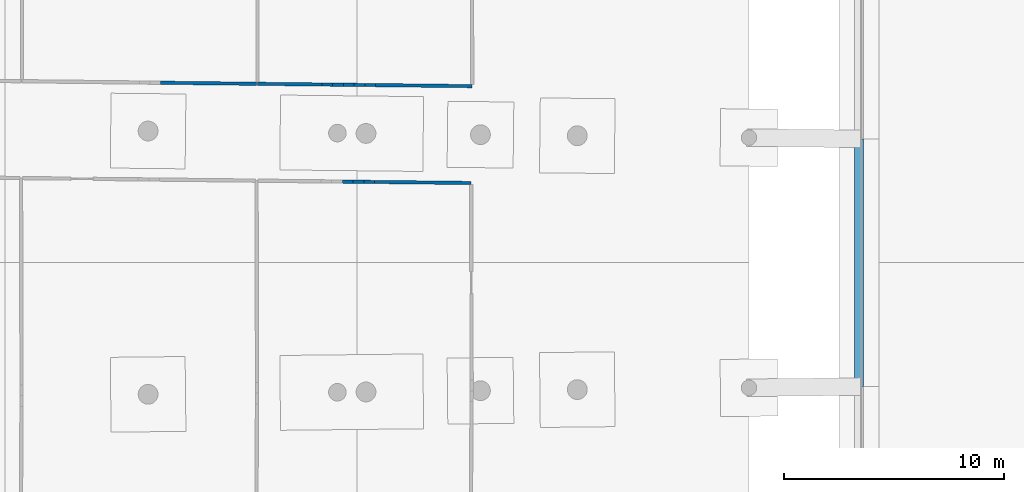
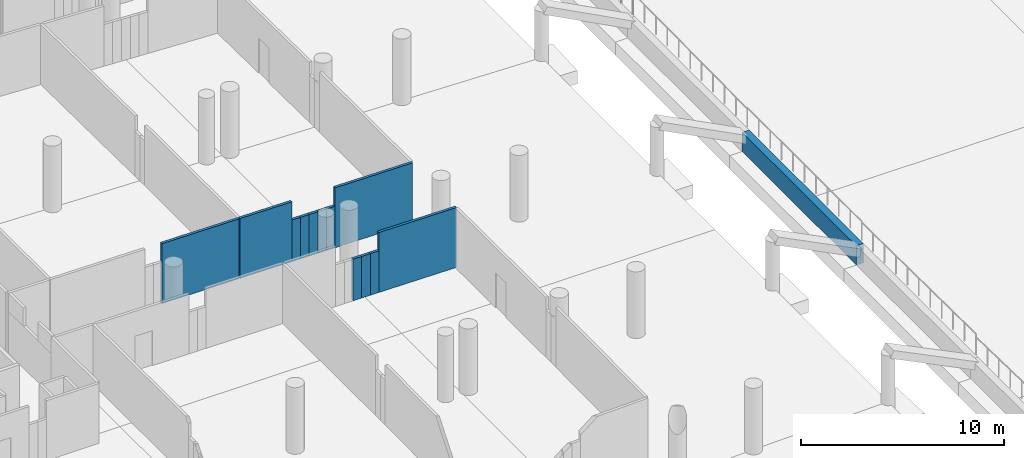
# One storey, part 49 of 142: 13 walls.
"""IFC4 building model written with IfcOpenShell, lengths in metres."""

from ifc_helpers import new_model, si_unit, direction, frame, frame_2d, origin, place, context, subcontext, project, spatial, rectangle, extrude, material, layer, layer_set, type_object, element, save


model = new_model("IFC4")

# Units and contexts
model_context = context("Model", 3, precision=1e-05, world=origin(), true_north=direction((0.0, 1.0)))
body_context = subcontext(model_context, "Body", "Model", "MODEL_VIEW")
ifc_project = project(units=[si_unit("LENGTHUNIT", "METRE"), si_unit("AREAUNIT", "SQUARE_METRE"), si_unit("VOLUMEUNIT", "CUBIC_METRE"), si_unit("PLANEANGLEUNIT", "RADIAN"), si_unit("MASSUNIT", "GRAM", prefix="KILO")], contexts=[model_context])

# Site, building, storey
site_placement = place(None, origin())
site = spatial("IfcSite", under=ifc_project, at=site_placement, CompositionType="ELEMENT")
building_placement = place(site_placement, origin())
building = spatial("IfcBuilding", under=site, at=building_placement, Name="Meseta Stadium", CompositionType="ELEMENT")
storey_placement = place(building_placement, frame((0.0, 0.0, -4.0)))
storey = spatial("IfcBuildingStorey", under=building, at=storey_placement, Name="B1", CompositionType="ELEMENT", Elevation=-4.0)

# Walls
ifc_material_1 = material(Name="Masonry blockwork", Category="masonry")
ifc_layer_1 = layer(ifc_material_1, 0.14990234375)
ifc_layer_set_1 = layer_set([ifc_layer_1], Name="Partition 150")
wall_type_1 = type_object("IfcWallType", Name="Partition 150", PredefinedType="PARTITIONING", material=ifc_layer_set_1)
wall_1_placement = place(storey_placement, frame((-58.77490234375, 8.02001953125, 0.0), z_axis=(0.0, 0.0, 1.0), x_axis=(-0.999939914849, 0.010962056941, 0.0)))
element("IfcWall", 1, at=wall_1_placement, inside=storey, type_object=wall_type_1, Name="Partition B1 B1-cell15-1-0", PredefinedType="PARTITIONING", context=body_context, shape_type="SweptSolid", body=[
    extrude(rectangle(XDim=4.387451171875, YDim=0.14990234375, at=frame_2d((2.19384765625, 0.0))), origin(), (0.0, 0.0, 1.0), 3.60009765625),
])
wall_2_placement = place(storey_placement, frame((-63.162109375, 8.068115234375, 0.0), z_axis=(0.0, 0.0, 1.0), x_axis=(-0.999939262806, 0.01102137464, 0.0)))
element("IfcWall", 2, at=wall_2_placement, inside=storey, type_object=wall_type_1, Name="Partition B1 B1-cell15-1-0", PredefinedType="PARTITIONING", context=body_context, shape_type="SweptSolid", body=[
    extrude(rectangle(XDim=0.4873046875, YDim=0.14990234375, at=frame_2d((0.24365234375, 0.0))), origin(), (0.0, 0.0, 1.0), 2.5),
])
for number, where, z_axis, x_axis, name in (
    (3, (-63.6494140625, 8.073486328125, 0.0), (0.0, 0.0, 1.0), (-0.999939323614, 0.011015856344, 0.0), "Partition B1 B1-cell15-1-0"),
    (4, (-64.136962890625, 8.078857421875, 0.0), (0.0, 0.0, 1.0), (-0.999939323614, 0.011015856344, 0.0), "Partition B1 B1-cell15-1-0"),
):
    element("IfcWall", number, at=place(storey_placement, frame(where, z_axis=z_axis, x_axis=x_axis)), inside=storey, type_object=wall_type_1, Name=name, PredefinedType="PARTITIONING", context=body_context, shape_type="SweptSolid", body=[
        extrude(rectangle(XDim=0.487548828125, YDim=0.14990234375, at=frame_2d((0.24365234375, 0.0))), origin(), (0.0, 0.0, 1.0), 2.5),
    ])
wall_3_placement = place(storey_placement, frame((-64.62451171875, 8.084228515625, 0.0), z_axis=(0.0, 0.0, 1.0), x_axis=(-0.999939262806, 0.01102137464, 0.0)))
element("IfcWall", 5, at=wall_3_placement, inside=storey, type_object=wall_type_1, Name="Partition B1 B1-cell15-1-0", PredefinedType="PARTITIONING", context=body_context, shape_type="SweptSolid", body=[
    extrude(rectangle(XDim=0.4873046875, YDim=0.14990234375, at=frame_2d((0.24365234375, 0.0))), origin(), (0.0, 0.0, 1.0), 2.5),
])
wall_4_placement = place(storey_placement, frame((-65.11181640625, 8.089599609375, 0.0), z_axis=(0.0, 0.0, 1.0), x_axis=(-0.999939323614, 0.011015856344, 0.0)))
element("IfcWall", 6, at=wall_4_placement, inside=storey, type_object=wall_type_1, Name="Partition B1 B1-cell15-1-0", PredefinedType="PARTITIONING", context=body_context, shape_type="SweptSolid", body=[
    extrude(rectangle(XDim=0.487548828125, YDim=0.14990234375, at=frame_2d((0.24365234375, 0.0))), origin(), (0.0, 0.0, 1.0), 2.5),
])
wall_5_placement = place(storey_placement, frame((-65.599365234375, 8.094970703125, 0.0), z_axis=(0.0, 0.0, 1.0), x_axis=(-0.999940219435, 0.010934237792, 0.0)))
element("IfcWall", 7, at=wall_5_placement, inside=storey, type_object=wall_type_1, Name="Partition B1 B1-cell15-1-0", PredefinedType="PARTITIONING", context=body_context, shape_type="SweptSolid", body=[
    extrude(rectangle(XDim=2.925048828125, YDim=0.14990234375, at=frame_2d((1.46240234375, 0.0))), origin(), (0.0, 0.0, 1.0), 3.60009765625),
])
wall_6_placement = place(storey_placement, frame((-68.57421875, 8.12744140625, 0.0), z_axis=(0.0, 0.0, 1.0), x_axis=(-0.999939687164, 0.010982806315, 0.0)))
element("IfcWall", 8, at=wall_6_placement, inside=storey, type_object=wall_type_1, Name="Partition B1 B1-cell15-2-0", PredefinedType="PARTITIONING", context=body_context, shape_type="SweptSolid", body=[
    extrude(rectangle(XDim=4.35693359375, YDim=0.14990234375, at=frame_2d((2.178466796875, 0.0))), origin(), (0.0, 0.0, 1.0), 3.60009765625),
])
wall_7_placement = place(storey_placement, frame((-64.672607421875, 3.684326171875, 0.0), z_axis=(0.0, 0.0, 1.0), x_axis=(0.999944658431, -0.010520459833, 0.0)))
element("IfcWall", 9, at=wall_7_placement, inside=storey, type_object=wall_type_1, Name="Partition B1 B1-cell16-1-0", PredefinedType="PARTITIONING", context=body_context, shape_type="SweptSolid", body=[
    extrude(rectangle(XDim=0.4873046875, YDim=0.14990234375, at=frame_2d((0.24365234375, 0.0))), origin(), (0.0, 0.0, 1.0), 2.5),
])
for number, where, z_axis, x_axis, name in (
    (10, (-64.185302734375, 3.67919921875, 0.0), (0.0, 0.0, 1.0), (0.999933682775, -0.01151651212, 0.0), "Partition B1 B1-cell16-1-0"),
    (11, (-63.69775390625, 3.673583984375, 0.0), (0.0, 0.0, 1.0), (0.999944713837, -0.010515192284, 0.0), "Partition B1 B1-cell16-1-0"),
):
    element("IfcWall", number, at=place(storey_placement, frame(where, z_axis=z_axis, x_axis=x_axis)), inside=storey, type_object=wall_type_1, Name=name, PredefinedType="PARTITIONING", context=body_context, shape_type="SweptSolid", body=[
        extrude(rectangle(XDim=0.487548828125, YDim=0.14990234375, at=frame_2d((0.24365234375, 0.0))), origin(), (0.0, 0.0, 1.0), 2.5),
    ])
wall_8_placement = place(storey_placement, frame((-63.210205078125, 3.66845703125, 0.0), z_axis=(0.0, 0.0, 1.0), x_axis=(0.999939914849, -0.010962056941, 0.0)))
element("IfcWall", 12, at=wall_8_placement, inside=storey, type_object=wall_type_1, Name="Partition B1 B1-cell16-1-0", PredefinedType="PARTITIONING", context=body_context, shape_type="SweptSolid", body=[
    extrude(rectangle(XDim=4.387451171875, YDim=0.14990234375, at=frame_2d((2.19384765625, 0.0))), origin(), (0.0, 0.0, 1.0), 3.60009765625),
])
ifc_material_2 = material(Name="Concrete C40/50", Category="concrete")
ifc_layer_2 = layer(ifc_material_2, 0.39990234375)
ifc_layer_set_2 = layer_set([ifc_layer_2], Name="Pitch wall 400")
wall_type_2 = type_object("IfcWallType", Name="Pitch wall 400", PredefinedType="SOLIDWALL", material=ifc_layer_set_2)
wall_9_placement = place(storey_placement, frame((-41.199951171875, 5.627197265625, -0.39990234375), z_axis=(0.0, 0.0, 1.0), x_axis=(0.0, -1.0, 0.0)))
element("IfcWall", 13, at=wall_9_placement, inside=storey, type_object=wall_type_2, Name="Pitch wall bay 33", PredefinedType="SOLIDWALL", context=body_context, shape_type="SweptSolid", body=[
    extrude(rectangle(XDim=11.25439453125, YDim=0.39990234375, at=frame_2d((5.627197265625, 0.0))), origin(), (0.0, 0.0, 1.0), 1.158935546875),
])

save(model, "model.ifc")
